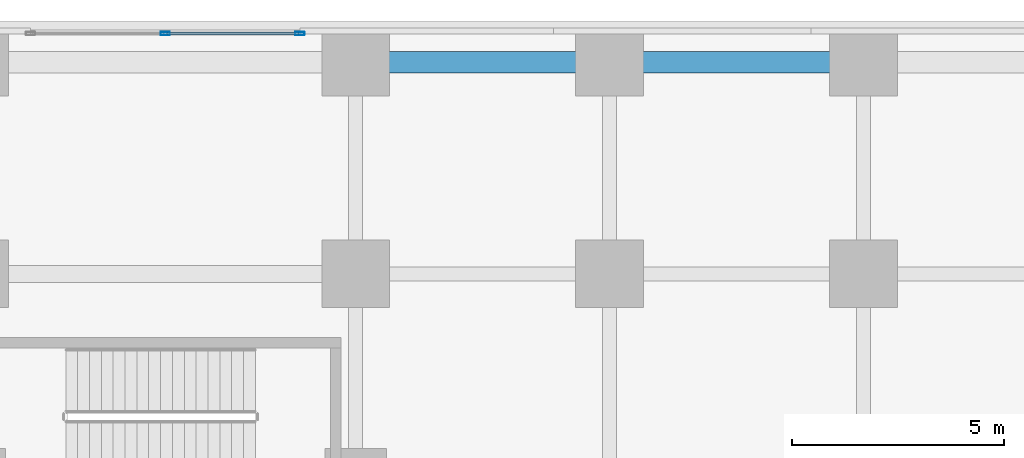
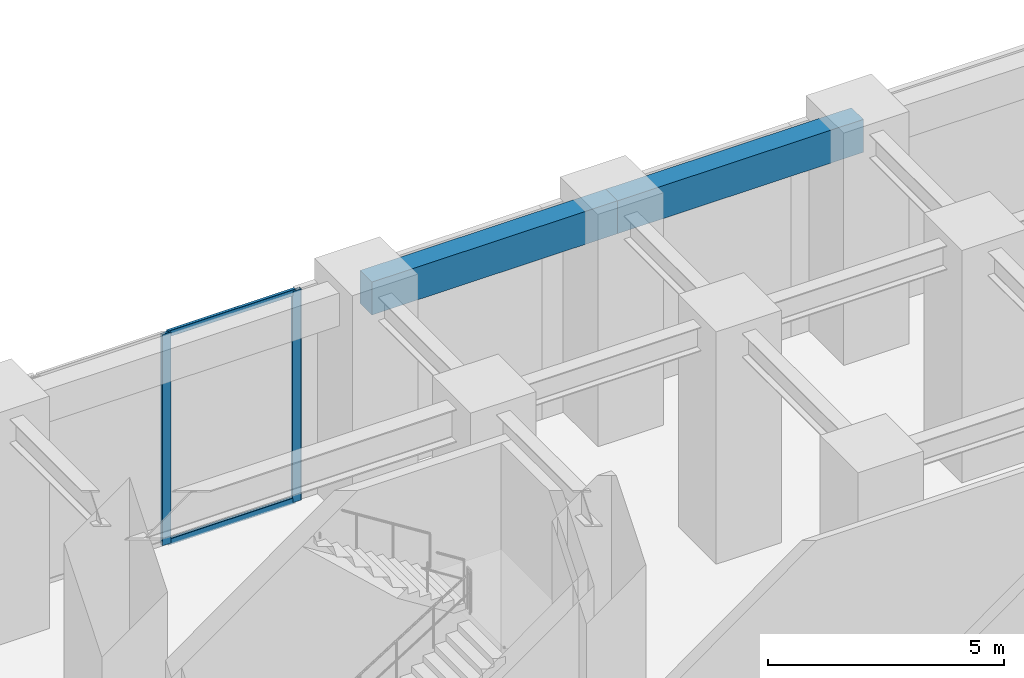
# One storey, part 20 of 34: 4 members, 2 beams, 1 element without a shape of its own.
"""IFC4 building model written with IfcOpenShell, lengths in metres."""

from ifc_helpers import new_model, si_unit, direction, frame, origin, origin_2d, place, context, subcontext, project, spatial, rectangle, hollow_rectangle, extrude, source, transform, mapped, material, material_profile, profile_set, type_object, element, aggregate, save


model = new_model("IFC4")

# Units and contexts
model_context = context("Model", 3, precision=1e-05, world=origin(), true_north=direction((0.0, 1.0)))
body_context = subcontext(model_context, "Body", "Model", "MODEL_VIEW")
ifc_project = project(units=[si_unit("LENGTHUNIT", "METRE"), si_unit("AREAUNIT", "SQUARE_METRE"), si_unit("VOLUMEUNIT", "CUBIC_METRE"), si_unit("PLANEANGLEUNIT", "RADIAN"), si_unit("MASSUNIT", "GRAM", prefix="KILO")], contexts=[model_context])

# Site, building, storey
site_placement = place(None, origin())
site = spatial("IfcSite", under=ifc_project, at=site_placement, CompositionType="ELEMENT")
building_placement = place(site_placement, origin())
building = spatial("IfcBuilding", under=site, at=building_placement, Name="Torre Montelarca", CompositionType="ELEMENT")
storey_placement = place(building_placement, frame((0.0, 0.0, 6.0)))
storey = spatial("IfcBuildingStorey", under=building, at=storey_placement, Name="L02", CompositionType="ELEMENT", Elevation=6.0)

# Beams
ifc_material_1 = material(Name="Concrete C55/67", Category="concrete")
ifc_material_profile_1 = material_profile(ifc_material_1, rectangle(XDim=0.5, YDim=0.85009765625, at=origin_2d()), Name="RCB500X850", Category="concrete")
ifc_profile_set_1 = profile_set([ifc_material_profile_1], Name="Concrete C55/67")
beam_type = type_object("IfcBeamType", Name="BM-SP-RC850-EXT", PredefinedType="SPANDREL", material=ifc_profile_set_1)
shared_shape_1 = source(origin(), body_context, "Body", "SweptSolid", [
    extrude(rectangle(XDim=0.5, YDim=0.85009765625, at=origin_2d()), origin(), (0.0, 0.0, 1.0), 6.0),
])
for number, where, z_axis, x_axis, name in (
    (1, (36.0, 57.0, 5.31494140625), (1.0, 0.0, 0.0), (0.0, 1.0, 0.0), "L02 Grid Girder X 36.0-42.0 at Y=57.0"),
    (2, (42.0, 57.0, 5.31494140625), (1.0, 0.0, 0.0), (0.0, 1.0, 0.0), "L02 Grid Girder X 42.0-48.0 at Y=57.0"),
):
    element("IfcBeam", number, at=place(storey_placement, frame(where, z_axis=z_axis, x_axis=x_axis)), inside=storey, type_object=beam_type, Name=name, PredefinedType="SPANDREL", context=body_context, shape_type="MappedRepresentation", body=[
        mapped(shared_shape_1, transform((0.0, 0.0, 0.0), scale=1.0)),
    ])

# Curtain wall, members
ifc_material_2 = material(Name="Insulated low-E laminated glass", Category="glass")
curtain_wall_type = type_object("IfcCurtainWallType", Name="CW-SYS-POD2", PredefinedType="USERDEFINED", material=ifc_material_2)
curtain_wall_placement = place(storey_placement, origin())
curtain_wall = element("IfcCurtainWall", 3, at=curtain_wall_placement, inside=storey, type_object=curtain_wall_type, Name="L02 Curtain Wall Run CW-T3-L02-E08-B1", ObjectType="UNITISED GLAZING", PredefinedType="USERDEFINED")
ifc_material_3 = material(Name="Anodised aluminium AA 6063-T6", Category="aluminium")
ifc_material_profile_2 = material_profile(ifc_material_3, hollow_rectangle(XDim=0.074951171875, YDim=0.219970703125, WallThickness=0.0048828125, InnerFilletRadius=0.0048828125, OuterFilletRadius=0.010009765625, at=origin_2d()), Name="ALU75X220X5", Category="aluminium")
ifc_profile_set_2 = profile_set([ifc_material_profile_2], Name="Anodised aluminium AA 6063-T6")
member_type_1 = type_object("IfcMemberType", Name="CWM-ALU220", PredefinedType="MULLION", material=ifc_profile_set_2)
shared_shape_2 = source(origin(), body_context, "Body", "SweptSolid", [
    extrude(hollow_rectangle(XDim=0.074951171875, YDim=0.219970703125, WallThickness=0.0048828125, InnerFilletRadius=0.0048828125, OuterFilletRadius=0.010009765625, at=origin_2d()), origin(), (0.0, 0.0, 1.0), 5.449951171875),
])
member_1_placement = place(storey_placement, frame((34.6826171875, 57.679931640625, 0.0), z_axis=(0.0, 0.0, 1.0), x_axis=(0.0, -1.0, 0.0)))
member_1 = element("IfcMember", 4, at=member_1_placement, type_object=member_type_1, Name="CW mullion 1", PredefinedType="MULLION", context=body_context, shape_type="MappedRepresentation", body=[
    mapped(shared_shape_2, transform((0.0, 0.0, 0.0), scale=1.0)),
])
member_2_placement = place(storey_placement, frame((31.5, 57.679931640625, 0.0), z_axis=(0.0, 0.0, 1.0), x_axis=(0.0, -1.0, 0.0)))
member_2 = element("IfcMember", 5, at=member_2_placement, type_object=member_type_1, Name="CW mullion 2", PredefinedType="MULLION", context=body_context, shape_type="MappedRepresentation", body=[
    mapped(shared_shape_2, transform((0.0, 0.0, 0.0), scale=1.0)),
])
ifc_material_profile_3 = material_profile(ifc_material_3, hollow_rectangle(XDim=0.074951171875, YDim=0.159912109375, WallThickness=0.0048828125, InnerFilletRadius=0.0048828125, OuterFilletRadius=0.010009765625, at=origin_2d()), Name="ALU75X160X5", Category="aluminium")
ifc_profile_set_3 = profile_set([ifc_material_profile_3], Name="Anodised aluminium AA 6063-T6")
member_type_2 = type_object("IfcMemberType", Name="CWT-ALU160", PredefinedType="USERDEFINED", material=ifc_profile_set_3)
shared_shape_3 = source(origin(), body_context, "Body", "SweptSolid", [
    extrude(hollow_rectangle(XDim=0.074951171875, YDim=0.159912109375, WallThickness=0.0048828125, InnerFilletRadius=0.0048828125, OuterFilletRadius=0.010009765625, at=origin_2d()), origin(), (0.0, 0.0, 1.0), 3.107421875),
])
member_3_placement = place(storey_placement, frame((34.64501953125, 57.679931640625, 0.03759765625), z_axis=(-1.0, 0.0, 0.0), x_axis=(0.0, -1.0, 0.0)))
member_3 = element("IfcMember", 6, at=member_3_placement, type_object=member_type_2, Name="CW transom 1.1", ObjectType="TRANSOM", PredefinedType="USERDEFINED", context=body_context, shape_type="MappedRepresentation", body=[
    mapped(shared_shape_3, transform((0.0, 0.0, 0.0), scale=1.0)),
])
member_4_placement = place(storey_placement, frame((34.64501953125, 57.679931640625, 5.41259765625), z_axis=(-1.0, 0.0, 0.0), x_axis=(0.0, -1.0, 0.0)))
member_4 = element("IfcMember", 7, at=member_4_placement, type_object=member_type_2, Name="CW transom 1.2", ObjectType="TRANSOM", PredefinedType="USERDEFINED", context=body_context, shape_type="MappedRepresentation", body=[
    mapped(shared_shape_3, transform((0.0, 0.0, 0.0), scale=1.0)),
])
aggregate(curtain_wall, [member_1, member_2, member_3, member_4])

save(model, "model.ifc")
